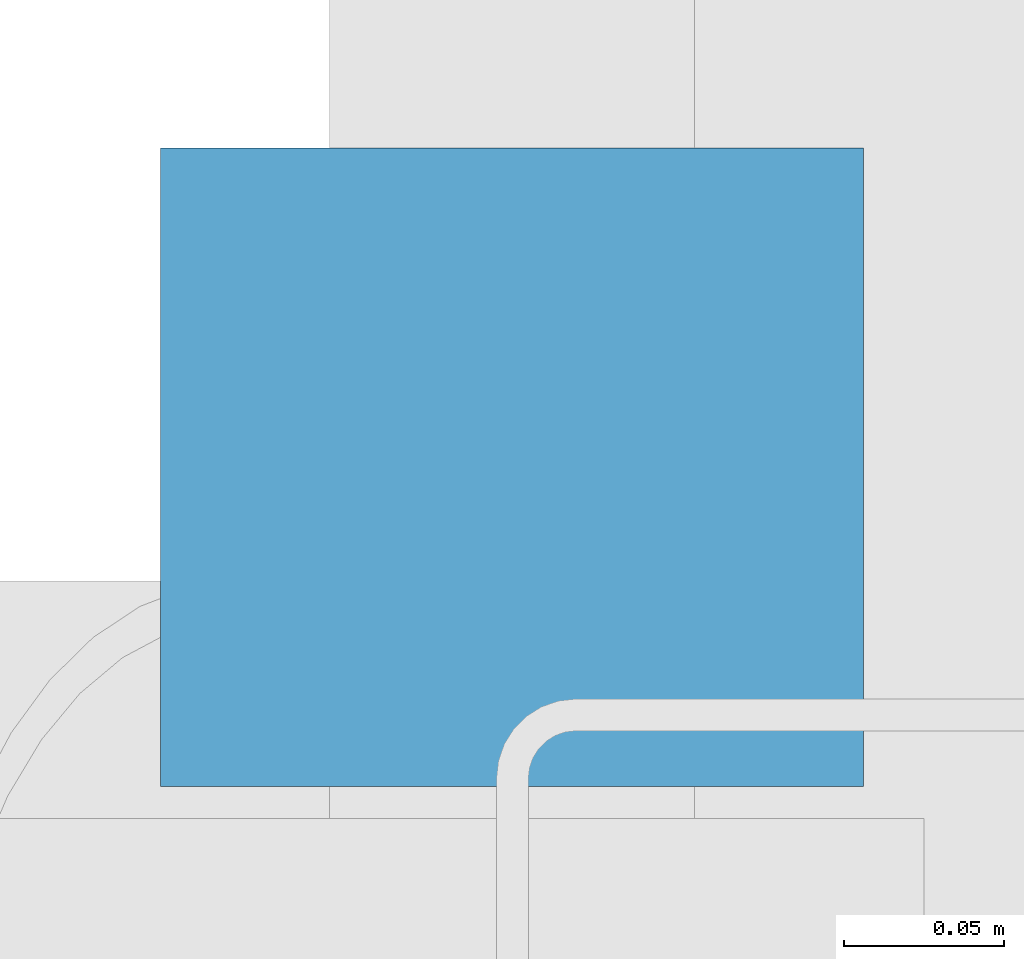
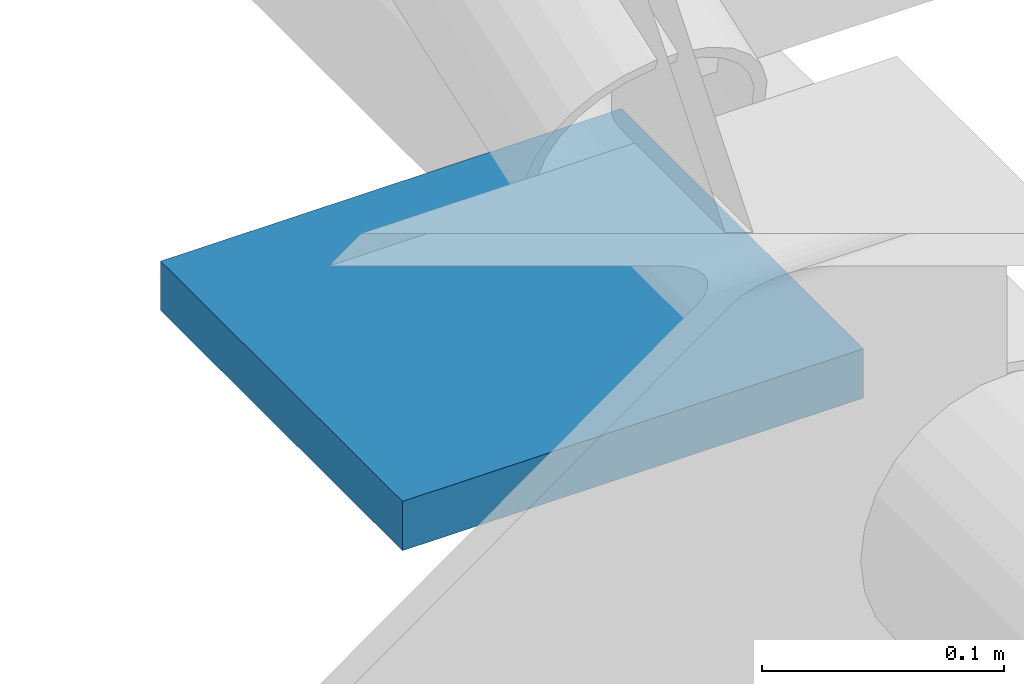
# One storey, part 152 of 156: 1 discrete accessory.
"""IFC4 building model written with IfcOpenShell, lengths in metres."""

from ifc_helpers import new_model, si_unit, direction, frame, origin, origin_2d, place, context, subcontext, project, spatial, rectangle, extrude, material, layer, layer_set, type_object, element, save


model = new_model("IFC4")

# Units and contexts
model_context = context("Model", 3, precision=1e-05, world=origin(), true_north=direction((0.0, 1.0)))
body_context = subcontext(model_context, "Body", "Model", "MODEL_VIEW")
ifc_project = project(units=[si_unit("LENGTHUNIT", "METRE"), si_unit("AREAUNIT", "SQUARE_METRE"), si_unit("VOLUMEUNIT", "CUBIC_METRE"), si_unit("PLANEANGLEUNIT", "RADIAN"), si_unit("MASSUNIT", "GRAM", prefix="KILO")], contexts=[model_context])

# Site, building, storey
site_placement = place(None, origin())
site = spatial("IfcSite", under=ifc_project, at=site_placement, CompositionType="ELEMENT")
building_placement = place(site_placement, origin())
building = spatial("IfcBuilding", under=site, at=building_placement, Name="Lilac Gate Convention Centre", CompositionType="ELEMENT")
storey_placement = place(building_placement, frame((0.0, 0.0, 17.0)))
storey = spatial("IfcBuildingStorey", under=building, at=storey_placement, Name="L03", CompositionType="ELEMENT", Elevation=17.0)

# Discrete accessory
ifc_material = material(Name="Steel Q355B", Category="steel")
ifc_layer = layer(ifc_material, 0.02490234375)
ifc_layer_set = layer_set([ifc_layer], Name="Steel Q355B")
discrete_accessory_type = type_object("IfcDiscreteAccessoryType", Name="Cast-in plate 25 Q355B", PredefinedType="ANCHORPLATE", material=ifc_layer_set)
discrete_accessory_placement = place(storey_placement, frame((89.8798828125, 210.197509765625, 0.0), z_axis=(0.0, 0.0, 1.0), x_axis=(0.0, 1.0, 0.0)))
element("IfcDiscreteAccessory", 1, at=discrete_accessory_placement, inside=storey, type_object=discrete_accessory_type, Name="CP1 cast-in plate at BR2 vertical bracing bay 16 line 3", PredefinedType="ANCHORPLATE", context=body_context, shape_type="SweptSolid", body=[
    extrude(rectangle(XDim=0.199951171875, YDim=0.219970703125, at=origin_2d()), origin(), (0.0, 0.0, 1.0), 0.02490234375),
])

save(model, "model.ifc")
